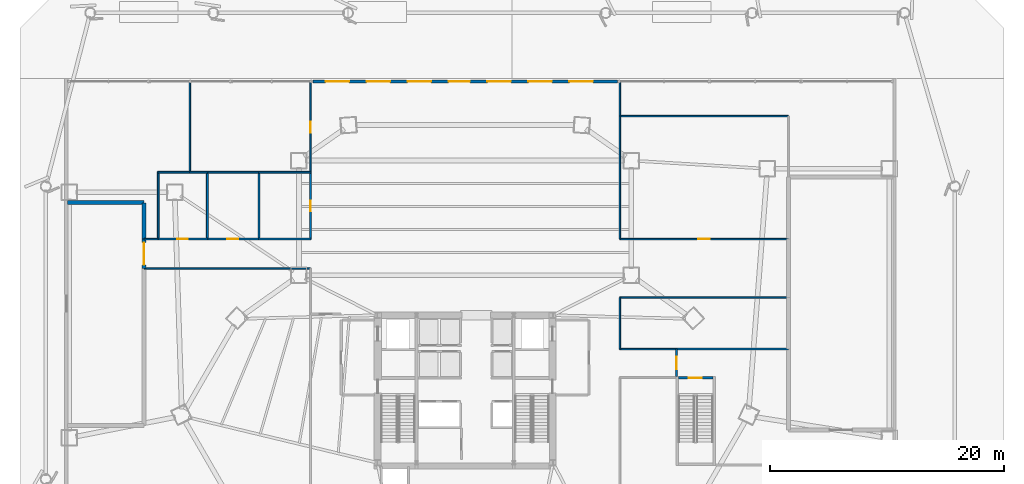
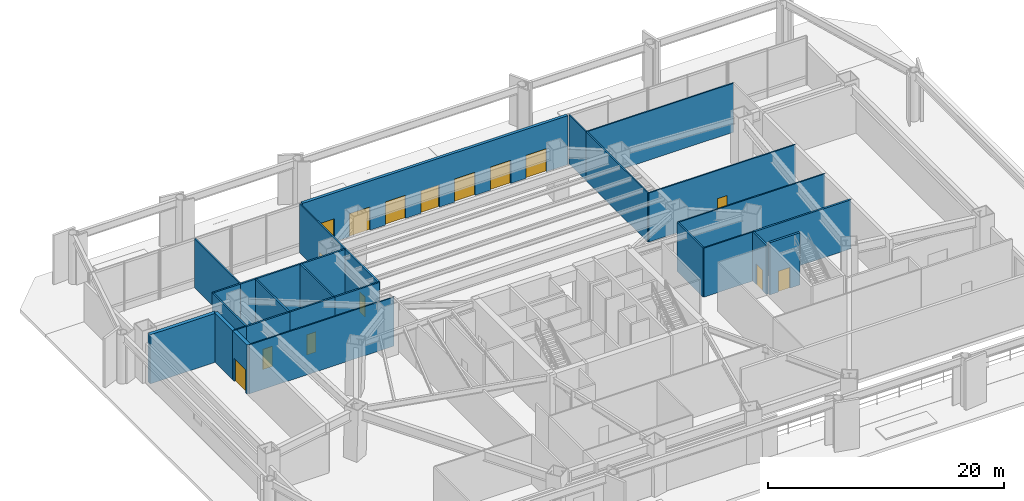
# One storey, part 13 of 19: 29 walls, 15 doors, 15 openings.
"""IFC4 building model written with IfcOpenShell, lengths in metres."""

from ifc_helpers import new_model, si_unit, direction, frame, frame_2d, origin, place, context, subcontext, project, spatial, rectangle, extrude, material, layer, layer_set, type_object, element, fill, save


model = new_model("IFC4")

# Units and contexts
model_context = context("Model", 3, precision=1e-05, world=origin(), true_north=direction((0.0, 1.0)))
body_context = subcontext(model_context, "Body", "Model", "MODEL_VIEW")
ifc_project = project(units=[si_unit("LENGTHUNIT", "METRE"), si_unit("AREAUNIT", "SQUARE_METRE"), si_unit("VOLUMEUNIT", "CUBIC_METRE"), si_unit("PLANEANGLEUNIT", "RADIAN"), si_unit("MASSUNIT", "GRAM", prefix="KILO")], contexts=[model_context])

# Site, building, storey
site_placement = place(None, origin())
site = spatial("IfcSite", under=ifc_project, at=site_placement, CompositionType="ELEMENT")
building_placement = place(site_placement, origin())
building = spatial("IfcBuilding", under=site, at=building_placement, Name="Caelisora Broadcast Tower", CompositionType="ELEMENT")
storey_placement = place(building_placement, origin())
storey = spatial("IfcBuildingStorey", under=building, at=storey_placement, Name="L00", CompositionType="ELEMENT", Elevation=0.0)

# Wall, opening, door
ifc_material_1 = material(Name="Concrete 50 MPa (AS 3600 S50)", Category="concrete")
ifc_layer_1 = layer(ifc_material_1, 0.219970703125, Name="Concrete 50 MPa (AS 3600 S50)")
ifc_layer_set_1 = layer_set([ifc_layer_1], Name="Concrete 50 MPa (AS 3600 S50)")
wall_type_1 = type_object("IfcWallType", Name="CW7", PredefinedType="SHEAR", material=ifc_layer_set_1)
wall_1_placement = place(storey_placement, frame((56.199951171875, 24.64990234375, 0.0), z_axis=(0.0, 0.0, 1.0), x_axis=(1.0, 0.0, 0.0)))
wall_1 = element("IfcWall", 1, at=wall_1_placement, inside=storey, type_object=wall_type_1, Name="L00 core shear wall CW7", PredefinedType="SHEAR", context=body_context, shape_type="SweptSolid", body=[
    extrude(rectangle(XDim=2.9599609375, YDim=0.219970703125, at=frame_2d((1.47998046875, 0.0))), origin(), (0.0, 0.0, 1.0), 5.39990234375),
])
opening_1_placement = place(wall_1_placement, frame((0.8701171875, 0.0, 0.0)))
opening_1 = element("IfcOpeningElement", 2, at=opening_1_placement, cuts=wall_1, Name="Opening FD04", PredefinedType="OPENING", context=body_context, shape_type="SweptSolid", body=[
    extrude(rectangle(XDim=1.1201171875, YDim=2.14990234375, at=frame_2d((0.56005859375, 1.074951171875))), frame((0.0, 0.1220703125, 0.0), z_axis=(0.0, -1.0, 0.0), x_axis=(1.0, 0.0, 0.0)), (0.0, 0.0, 1.0), 0.243896484375),
])
ifc_material_2 = material(Name="Pressurised Fire-Isolated Stair Door", Category="steel")
door_type_1 = type_object("IfcDoorType", Name="FD04", OperationType="NOTDEFINED", PredefinedType="DOOR", material=ifc_material_2)
door_1_placement = place(opening_1_placement, origin())
door_1 = element("IfcDoor", 3, at=door_1_placement, inside=storey, type_object=door_type_1, Name="L00 door FD04 (L00-DR-ST3)", OperationType="SINGLE_SWING_LEFT", OverallHeight=2.14990234375, OverallWidth=1.1201171875, PredefinedType="DOOR", context=body_context, shape_type="SweptSolid", body=[
    extrude(rectangle(XDim=1.1201171875, YDim=2.14990234375, at=frame_2d((0.56005859375, 1.074951171875))), frame((0.0, 0.02490234375, 0.0), z_axis=(0.0, -1.0, 0.0), x_axis=(1.0, 0.0, 0.0)), (0.0, 0.0, 1.0), 0.050048828125),
])
fill(opening_1, door_1)

# Wall, openings, doors
ifc_material_3 = material(Name="Insulated Terracotta Spandrel Wall System", Category="masonry")
ifc_layer_2 = layer(ifc_material_3, 0.280029296875, Name="Insulated Terracotta Spandrel Wall System")
ifc_layer_set_2 = layer_set([ifc_layer_2], Name="Insulated Terracotta Spandrel Wall System")
wall_type_2 = type_object("IfcWallType", Name="EW1", PredefinedType="STANDARD", material=ifc_layer_set_2)
wall_2_placement = place(storey_placement, frame((25.0, 49.949951171875, 0.0), z_axis=(0.0, 0.0, 1.0), x_axis=(1.0, 0.0, 0.0)))
wall_2 = element("IfcWall", 4, at=wall_2_placement, inside=storey, type_object=wall_type_2, Name="L00 exterior envelope wall EW1", PredefinedType="STANDARD", context=body_context, shape_type="SweptSolid", body=[
    extrude(rectangle(XDim=26.0, YDim=0.280029296875, at=frame_2d((13.0, 0.0))), origin(), (0.0, 0.0, 1.0), 5.080078125),
])
opening_2_placement = place(wall_2_placement, frame((14.89990234375, 0.0, 0.0)))
opening_2 = element("IfcOpeningElement", 5, at=opening_2_placement, cuts=wall_2, Name="Opening D05", PredefinedType="OPENING", context=body_context, shape_type="SweptSolid", body=[
    extrude(rectangle(XDim=2.0, YDim=2.39990234375, at=frame_2d((1.0, 1.199951171875))), frame((0.0, 0.152099609375, 0.0), z_axis=(0.0, -1.0, 0.0), x_axis=(1.0, 0.0, 0.0)), (0.0, 0.0, 1.0), 0.303955078125),
])
opening_3_placement = place(wall_2_placement, frame((11.60009765625, 0.0, 0.0)))
opening_3 = element("IfcOpeningElement", 6, at=opening_3_placement, cuts=wall_2, Name="Opening D06", PredefinedType="OPENING", context=body_context, shape_type="SweptSolid", body=[
    extrude(rectangle(XDim=1.800048828125, YDim=2.300048828125, at=frame_2d((0.89990234375, 1.14990234375))), frame((0.0, 0.152099609375, 0.0), z_axis=(0.0, -1.0, 0.0), x_axis=(1.0, 0.0, 0.0)), (0.0, 0.0, 1.0), 0.303955078125),
])
opening_4_placement = place(wall_2_placement, frame((1.10009765625, 0.0, 0.0)))
opening_4 = element("IfcOpeningElement", 7, at=opening_4_placement, cuts=wall_2, Name="Opening D05", PredefinedType="OPENING", context=body_context, shape_type="SweptSolid", body=[
    extrude(rectangle(XDim=2.0, YDim=2.39990234375, at=frame_2d((1.0, 1.199951171875))), frame((0.0, 0.152099609375, 0.0), z_axis=(0.0, -1.0, 0.0), x_axis=(1.0, 0.0, 0.0)), (0.0, 0.0, 1.0), 0.303955078125),
])
opening_5_placement = place(wall_2_placement, frame((4.60009765625, 0.0, 0.0)))
opening_5 = element("IfcOpeningElement", 8, at=opening_5_placement, cuts=wall_2, Name="Opening D05", PredefinedType="OPENING", context=body_context, shape_type="SweptSolid", body=[
    extrude(rectangle(XDim=2.0, YDim=2.39990234375, at=frame_2d((1.0, 1.199951171875))), frame((0.0, 0.152099609375, 0.0), z_axis=(0.0, -1.0, 0.0), x_axis=(1.0, 0.0, 0.0)), (0.0, 0.0, 1.0), 0.303955078125),
])
opening_6_placement = place(wall_2_placement, frame((8.10009765625, 0.0, 0.0)))
opening_6 = element("IfcOpeningElement", 9, at=opening_6_placement, cuts=wall_2, Name="Opening D05", PredefinedType="OPENING", context=body_context, shape_type="SweptSolid", body=[
    extrude(rectangle(XDim=2.0, YDim=2.39990234375, at=frame_2d((1.0, 1.199951171875))), frame((0.0, 0.152099609375, 0.0), z_axis=(0.0, -1.0, 0.0), x_axis=(1.0, 0.0, 0.0)), (0.0, 0.0, 1.0), 0.303955078125),
])
opening_7_placement = place(wall_2_placement, frame((18.39990234375, 0.0, 0.0)))
opening_7 = element("IfcOpeningElement", 10, at=opening_7_placement, cuts=wall_2, Name="Opening D05", PredefinedType="OPENING", context=body_context, shape_type="SweptSolid", body=[
    extrude(rectangle(XDim=2.0, YDim=2.39990234375, at=frame_2d((1.0, 1.199951171875))), frame((0.0, 0.152099609375, 0.0), z_axis=(0.0, -1.0, 0.0), x_axis=(1.0, 0.0, 0.0)), (0.0, 0.0, 1.0), 0.303955078125),
])
opening_8_placement = place(wall_2_placement, frame((21.89990234375, 0.0, 0.0)))
opening_8 = element("IfcOpeningElement", 11, at=opening_8_placement, cuts=wall_2, Name="Opening D05", PredefinedType="OPENING", context=body_context, shape_type="SweptSolid", body=[
    extrude(rectangle(XDim=2.0, YDim=2.39990234375, at=frame_2d((1.0, 1.199951171875))), frame((0.0, 0.152099609375, 0.0), z_axis=(0.0, -1.0, 0.0), x_axis=(1.0, 0.0, 0.0)), (0.0, 0.0, 1.0), 0.303955078125),
])
ifc_material_4 = material(Name="Anodised Aluminium Double Entrance Door", Category="aluminium")
door_type_2 = type_object("IfcDoorType", Name="D05", OperationType="NOTDEFINED", PredefinedType="DOOR", material=ifc_material_4)
door_2_placement = place(opening_2_placement, origin())
door_2 = element("IfcDoor", 12, at=door_2_placement, inside=storey, type_object=door_type_2, Name="L00 door D05 (L00-DR-ENT1)", OperationType="DOUBLE_DOOR_SINGLE_SWING", OverallHeight=2.39990234375, OverallWidth=2.0, PredefinedType="DOOR", context=body_context, shape_type="SweptSolid", body=[
    extrude(rectangle(XDim=2.0, YDim=2.39990234375, at=frame_2d((1.0, 1.199951171875))), frame((0.0, 0.02490234375, 0.0), z_axis=(0.0, -1.0, 0.0), x_axis=(1.0, 0.0, 0.0)), (0.0, 0.0, 1.0), 0.050048828125),
])
fill(opening_2, door_2)
door_3_placement = place(opening_4_placement, origin())
door_3 = element("IfcDoor", 13, at=door_3_placement, inside=storey, type_object=door_type_2, Name="L00 door D05 (L00-DR-ENT3)", OperationType="DOUBLE_DOOR_SINGLE_SWING", OverallHeight=2.39990234375, OverallWidth=2.0, PredefinedType="DOOR", context=body_context, shape_type="SweptSolid", body=[
    extrude(rectangle(XDim=2.0, YDim=2.39990234375, at=frame_2d((1.0, 1.199951171875))), frame((0.0, 0.02490234375, 0.0), z_axis=(0.0, -1.0, 0.0), x_axis=(1.0, 0.0, 0.0)), (0.0, 0.0, 1.0), 0.050048828125),
])
fill(opening_4, door_3)
door_4_placement = place(opening_5_placement, origin())
door_4 = element("IfcDoor", 14, at=door_4_placement, inside=storey, type_object=door_type_2, Name="L00 door D05 (L00-DR-ENT4)", OperationType="DOUBLE_DOOR_SINGLE_SWING", OverallHeight=2.39990234375, OverallWidth=2.0, PredefinedType="DOOR", context=body_context, shape_type="SweptSolid", body=[
    extrude(rectangle(XDim=2.0, YDim=2.39990234375, at=frame_2d((1.0, 1.199951171875))), frame((0.0, 0.02490234375, 0.0), z_axis=(0.0, -1.0, 0.0), x_axis=(1.0, 0.0, 0.0)), (0.0, 0.0, 1.0), 0.050048828125),
])
fill(opening_5, door_4)
door_5_placement = place(opening_6_placement, origin())
door_5 = element("IfcDoor", 15, at=door_5_placement, inside=storey, type_object=door_type_2, Name="L00 door D05 (L00-DR-ENT5)", OperationType="DOUBLE_DOOR_SINGLE_SWING", OverallHeight=2.39990234375, OverallWidth=2.0, PredefinedType="DOOR", context=body_context, shape_type="SweptSolid", body=[
    extrude(rectangle(XDim=2.0, YDim=2.39990234375, at=frame_2d((1.0, 1.199951171875))), frame((0.0, 0.02490234375, 0.0), z_axis=(0.0, -1.0, 0.0), x_axis=(1.0, 0.0, 0.0)), (0.0, 0.0, 1.0), 0.050048828125),
])
fill(opening_6, door_5)
door_6_placement = place(opening_7_placement, origin())
door_6 = element("IfcDoor", 16, at=door_6_placement, inside=storey, type_object=door_type_2, Name="L00 door D05 (L00-DR-ENT6)", OperationType="DOUBLE_DOOR_SINGLE_SWING", OverallHeight=2.39990234375, OverallWidth=2.0, PredefinedType="DOOR", context=body_context, shape_type="SweptSolid", body=[
    extrude(rectangle(XDim=2.0, YDim=2.39990234375, at=frame_2d((1.0, 1.199951171875))), frame((0.0, 0.02490234375, 0.0), z_axis=(0.0, -1.0, 0.0), x_axis=(1.0, 0.0, 0.0)), (0.0, 0.0, 1.0), 0.050048828125),
])
fill(opening_7, door_6)
door_7_placement = place(opening_8_placement, origin())
door_7 = element("IfcDoor", 17, at=door_7_placement, inside=storey, type_object=door_type_2, Name="L00 door D05 (L00-DR-ENT7)", OperationType="DOUBLE_DOOR_SINGLE_SWING", OverallHeight=2.39990234375, OverallWidth=2.0, PredefinedType="DOOR", context=body_context, shape_type="SweptSolid", body=[
    extrude(rectangle(XDim=2.0, YDim=2.39990234375, at=frame_2d((1.0, 1.199951171875))), frame((0.0, 0.02490234375, 0.0), z_axis=(0.0, -1.0, 0.0), x_axis=(1.0, 0.0, 0.0)), (0.0, 0.0, 1.0), 0.050048828125),
])
fill(opening_8, door_7)
ifc_material_5 = material(Name="Aluminium Glazed Concourse Double Door", Category="aluminium")
door_type_3 = type_object("IfcDoorType", Name="D06", OperationType="NOTDEFINED", PredefinedType="DOOR", material=ifc_material_5)
door_8_placement = place(opening_3_placement, origin())
door_8 = element("IfcDoor", 18, at=door_8_placement, inside=storey, type_object=door_type_3, Name="L00 door D06 (L00-DR-ENT2)", OperationType="DOUBLE_DOOR_SINGLE_SWING", OverallHeight=2.300048828125, OverallWidth=1.800048828125, PredefinedType="DOOR", context=body_context, shape_type="SweptSolid", body=[
    extrude(rectangle(XDim=1.800048828125, YDim=2.300048828125, at=frame_2d((0.89990234375, 1.14990234375))), frame((0.0, 0.02490234375, 0.0), z_axis=(0.0, -1.0, 0.0), x_axis=(1.0, 0.0, 0.0)), (0.0, 0.0, 1.0), 0.050048828125),
])
fill(opening_3, door_8)

# Walls
ifc_material_6 = material(Name="Double-Leaf Acoustic Studio Isolation Wall", Category="gypsum")
ifc_layer_3 = layer(ifc_material_6, 0.340087890625, Name="Double-Leaf Acoustic Studio Isolation Wall")
ifc_layer_set_3 = layer_set([ifc_layer_3], Name="Double-Leaf Acoustic Studio Isolation Wall")
wall_type_3 = type_object("IfcWallType", Name="PW1", PredefinedType="PARTITIONING", material=ifc_layer_set_3)
wall_3_placement = place(storey_placement, frame((4.06494140625, 39.60009765625, 0.0), z_axis=(0.0, 0.0, 1.0), x_axis=(1.0, 0.0, 0.0)))
element("IfcWall", 19, at=wall_3_placement, inside=storey, type_object=wall_type_3, Name="L00 acoustic studio wall PW1", PredefinedType="PARTITIONING", context=body_context, shape_type="SweptSolid", body=[
    extrude(rectangle(XDim=6.530029296875, YDim=0.340087890625, at=frame_2d((3.26513671875, 0.0))), origin(), (0.0, 0.0, 1.0), 5.080078125),
])
wall_4_placement = place(storey_placement, frame((10.60009765625, 39.594970703125, 0.0), z_axis=(0.0, 0.0, 1.0), x_axis=(0.0, -1.0, 0.0)))
element("IfcWall", 20, at=wall_4_placement, inside=storey, type_object=wall_type_3, Name="L00 acoustic studio wall PW1", PredefinedType="PARTITIONING", context=body_context, shape_type="SweptSolid", body=[
    extrude(rectangle(XDim=3.090087890625, YDim=0.340087890625, at=frame_2d((1.544921875, 0.0))), origin(), (0.0, 0.0, 1.0), 5.080078125),
])

# Wall, opening, door
wall_5_placement = place(storey_placement, frame((10.60009765625, 34.0048828125, 0.0), z_axis=(0.0, 0.0, 1.0), x_axis=(0.0, 1.0, 0.0)))
wall_5 = element("IfcWall", 21, at=wall_5_placement, inside=storey, type_object=wall_type_3, Name="L00 acoustic studio wall PW1", PredefinedType="PARTITIONING", context=body_context, shape_type="SweptSolid", body=[
    extrude(rectangle(XDim=2.490234375, YDim=0.340087890625, at=frame_2d((1.2451171875, 0.0))), origin(), (0.0, 0.0, 1.0), 5.080078125),
])
opening_9_placement = place(wall_5_placement, frame((0.294921875, 0.0, 0.0)))
opening_9 = element("IfcOpeningElement", 22, at=opening_9_placement, cuts=wall_5, Name="Opening SD01", PredefinedType="OPENING", context=body_context, shape_type="SweptSolid", body=[
    extrude(rectangle(XDim=1.89990234375, YDim=2.35009765625, at=frame_2d((0.949951171875, 1.175048828125))), frame((0.0, 0.18212890625, 0.0), z_axis=(0.0, -1.0, 0.0), x_axis=(1.0, 0.0, 0.0)), (0.0, 0.0, 1.0), 0.364013671875),
])
ifc_material_7 = material(Name="Double-Leaf Acoustic Studio Sound-Lock Door", Category="steel")
door_type_4 = type_object("IfcDoorType", Name="SD01", OperationType="NOTDEFINED", PredefinedType="DOOR", material=ifc_material_7)
door_9_placement = place(opening_9_placement, origin())
door_9 = element("IfcDoor", 23, at=door_9_placement, inside=storey, type_object=door_type_4, Name="L00 door SD01 (L00-DR-P33D1)", OperationType="DOUBLE_DOOR_SINGLE_SWING", OverallHeight=2.35009765625, OverallWidth=1.89990234375, PredefinedType="DOOR", context=body_context, shape_type="SweptSolid", body=[
    extrude(rectangle(XDim=1.89990234375, YDim=2.35009765625, at=frame_2d((0.949951171875, 1.175048828125))), frame((0.0, 0.02490234375, 0.0), z_axis=(0.0, -1.0, 0.0), x_axis=(1.0, 0.0, 0.0)), (0.0, 0.0, 1.0), 0.050048828125),
])
fill(opening_9, door_9)

# Wall
ifc_material_8 = material(Name="Fire-Rated Gypsum Shaft and Compartment Wall", Category="gypsum")
ifc_layer_4 = layer(ifc_material_8, 0.179931640625, Name="Fire-Rated Gypsum Shaft and Compartment Wall")
ifc_layer_set_4 = layer_set([ifc_layer_4], Name="Fire-Rated Gypsum Shaft and Compartment Wall")
wall_type_4 = type_object("IfcWallType", Name="PW2", PredefinedType="PARTITIONING", material=ifc_layer_set_4)
wall_6_placement = place(storey_placement, frame((56.054931640625, 27.10009765625, 0.0), z_axis=(0.0, 0.0, 1.0), x_axis=(1.0, 0.0, 0.0)))
element("IfcWall", 24, at=wall_6_placement, inside=storey, type_object=wall_type_4, Name="L00 fire compartment wall PW2", PredefinedType="PARTITIONING", context=body_context, shape_type="SweptSolid", body=[
    extrude(rectangle(XDim=9.5400390625, YDim=0.179931640625, at=frame_2d((4.77001953125, 0.0))), origin(), (0.0, 0.0, 1.0), 5.080078125),
])

# Wall, opening, door
wall_7_placement = place(storey_placement, frame((56.050048828125, 24.7548828125, 0.0), z_axis=(0.0, 0.0, 1.0), x_axis=(0.0, 1.0, 0.0)))
wall_7 = element("IfcWall", 25, at=wall_7_placement, inside=storey, type_object=wall_type_4, Name="L00 fire compartment wall PW2", PredefinedType="PARTITIONING", context=body_context, shape_type="SweptSolid", body=[
    extrude(rectangle(XDim=2.340087890625, YDim=0.179931640625, at=frame_2d((1.169921875, 0.0))), origin(), (0.0, 0.0, 1.0), 5.080078125),
])
opening_10_placement = place(wall_7_placement, frame((0.64501953125, 0.0, 0.0)))
opening_10 = element("IfcOpeningElement", 26, at=opening_10_placement, cuts=wall_7, Name="Opening FD02", PredefinedType="OPENING", context=body_context, shape_type="SweptSolid", body=[
    extrude(rectangle(XDim=1.050048828125, YDim=2.14990234375, at=frame_2d((0.52490234375, 1.074951171875))), frame((0.0, 0.10205078125, 0.0), z_axis=(0.0, -1.0, 0.0), x_axis=(1.0, 0.0, 0.0)), (0.0, 0.0, 1.0), 0.203857421875),
])
ifc_material_9 = material(Name="Single-Leaf Steel Fire Lobby Door", Category="steel")
door_type_5 = type_object("IfcDoorType", Name="FD02", OperationType="NOTDEFINED", PredefinedType="DOOR", material=ifc_material_9)
door_10_placement = place(opening_10_placement, origin())
door_10 = element("IfcDoor", 27, at=door_10_placement, inside=storey, type_object=door_type_5, Name="L00 door FD02 (L00-DR-P42D1)", OperationType="SINGLE_SWING_RIGHT", OverallHeight=2.14990234375, OverallWidth=1.050048828125, PredefinedType="DOOR", context=body_context, shape_type="SweptSolid", body=[
    extrude(rectangle(XDim=1.050048828125, YDim=2.14990234375, at=frame_2d((0.52490234375, 1.074951171875))), frame((0.0, 0.02490234375, 0.0), z_axis=(0.0, -1.0, 0.0), x_axis=(1.0, 0.0, 0.0)), (0.0, 0.0, 1.0), 0.050048828125),
])
fill(opening_10, door_10)

ifc_material_10 = material(Name="Acoustic Steel-Stud Plasterboard Partition", Category="gypsum")
ifc_layer_5 = layer(ifc_material_10, 0.1298828125, Name="Acoustic Steel-Stud Plasterboard Partition")
ifc_layer_set_5 = layer_set([ifc_layer_5], Name="Acoustic Steel-Stud Plasterboard Partition")
wall_type_5 = type_object("IfcWallType", Name="PW3", PredefinedType="PARTITIONING", material=ifc_layer_set_5)
wall_8_placement = place(storey_placement, frame((65.594970703125, 36.5, 0.0), z_axis=(0.0, 0.0, 1.0), x_axis=(-1.0, 0.0, 0.0)))
wall_8 = element("IfcWall", 28, at=wall_8_placement, inside=storey, type_object=wall_type_5, Name="L00 internal partition PW3", PredefinedType="PARTITIONING", context=body_context, shape_type="SweptSolid", body=[
    extrude(rectangle(XDim=14.389892578125, YDim=0.1298828125, at=frame_2d((7.19482421875, 0.0))), origin(), (0.0, 0.0, 1.0), 5.080078125),
])
opening_11_placement = place(wall_8_placement, frame((6.715087890625, 0.0, 0.0)))
opening_11 = element("IfcOpeningElement", 29, at=opening_11_placement, cuts=wall_8, Name="Opening D01", PredefinedType="OPENING", context=body_context, shape_type="SweptSolid", body=[
    extrude(rectangle(XDim=0.9599609375, YDim=2.14990234375, at=frame_2d((0.47998046875, 1.074951171875))), frame((0.0, 0.076904296875, 0.0), z_axis=(0.0, -1.0, 0.0), x_axis=(1.0, 0.0, 0.0)), (0.0, 0.0, 1.0), 0.15380859375),
])
ifc_material_11 = material(Name="Solid-Core Timber Acoustic Office Door", Category="wood")
door_type_6 = type_object("IfcDoorType", Name="D01", OperationType="NOTDEFINED", PredefinedType="DOOR", material=ifc_material_11)
door_11_placement = place(opening_11_placement, origin())
door_11 = element("IfcDoor", 30, at=door_11_placement, inside=storey, type_object=door_type_6, Name="L00 door D01 (L00-DR-P48D1)", OperationType="SINGLE_SWING_LEFT", OverallHeight=2.14990234375, OverallWidth=0.9599609375, PredefinedType="DOOR", context=body_context, shape_type="SweptSolid", body=[
    extrude(rectangle(XDim=0.9599609375, YDim=2.14990234375, at=frame_2d((0.47998046875, 1.074951171875))), frame((0.0, 0.02490234375, 0.0), z_axis=(0.0, -1.0, 0.0), x_axis=(1.0, 0.0, 0.0)), (0.0, 0.0, 1.0), 0.050048828125),
])
fill(opening_11, door_11)

# Walls
for number, where, z_axis, x_axis, name in (
    (31, (51.205078125, 31.5, 0.0), (0.0, 0.0, 1.0), (1.0, 0.0, 0.0), "L00 internal partition PW3"),
    (32, (51.205078125, 47.0, 0.0), (0.0, 0.0, 1.0), (1.0, 0.0, 0.0), "L00 internal partition PW3"),
):
    element("IfcWall", number, at=place(storey_placement, frame(where, z_axis=z_axis, x_axis=x_axis)), inside=storey, type_object=wall_type_5, Name=name, PredefinedType="PARTITIONING", context=body_context, shape_type="SweptSolid", body=[
        extrude(rectangle(XDim=14.389892578125, YDim=0.1298828125, at=frame_2d((7.19482421875, 0.0))), origin(), (0.0, 0.0, 1.0), 5.080078125),
    ])
wall_9_placement = place(storey_placement, frame((24.794921875, 34.0, 0.0), z_axis=(0.0, 0.0, 1.0), x_axis=(-1.0, 0.0, 0.0)))
element("IfcWall", 33, at=wall_9_placement, inside=storey, type_object=wall_type_5, Name="L00 internal partition PW3", PredefinedType="PARTITIONING", context=body_context, shape_type="SweptSolid", body=[
    extrude(rectangle(XDim=14.18994140625, YDim=0.1298828125, at=frame_2d((7.094970703125, 0.0))), origin(), (0.0, 0.0, 1.0), 5.080078125),
])
wall_10_placement = place(storey_placement, frame((51.199951171875, 36.5048828125, 0.0), z_axis=(0.0, 0.0, 1.0), x_axis=(0.0, 1.0, 0.0)))
element("IfcWall", 34, at=wall_10_placement, inside=storey, type_object=wall_type_5, Name="L00 internal partition PW3", PredefinedType="PARTITIONING", context=body_context, shape_type="SweptSolid", body=[
    extrude(rectangle(XDim=10.490234375, YDim=0.1298828125, at=frame_2d((5.2451171875, 0.0))), origin(), (0.0, 0.0, 1.0), 5.080078125),
])

# Wall, opening, door
wall_11_placement = place(storey_placement, frame((24.800048828125, 42.205078125, 0.0), z_axis=(0.0, 0.0, 1.0), x_axis=(0.0, 1.0, 0.0)))
wall_11 = element("IfcWall", 35, at=wall_11_placement, inside=storey, type_object=wall_type_5, Name="L00 internal partition PW3", PredefinedType="PARTITIONING", context=body_context, shape_type="SweptSolid", body=[
    extrude(rectangle(XDim=7.69482421875, YDim=0.1298828125, at=frame_2d((3.847412109375, 0.0))), origin(), (0.0, 0.0, 1.0), 5.080078125),
])
opening_12_placement = place(wall_11_placement, frame((3.367919921875, 0.0, 0.0)))
opening_12 = element("IfcOpeningElement", 36, at=opening_12_placement, cuts=wall_11, Name="Opening D01", PredefinedType="OPENING", context=body_context, shape_type="SweptSolid", body=[
    extrude(rectangle(XDim=0.9599609375, YDim=2.14990234375, at=frame_2d((0.47998046875, 1.074951171875))), frame((0.0, 0.076904296875, 0.0), z_axis=(0.0, -1.0, 0.0), x_axis=(1.0, 0.0, 0.0)), (0.0, 0.0, 1.0), 0.15380859375),
])
door_12_placement = place(opening_12_placement, origin())
door_12 = element("IfcDoor", 37, at=door_12_placement, inside=storey, type_object=door_type_6, Name="L00 door D01 (L00-DR-P61D1)", OperationType="SINGLE_SWING_LEFT", OverallHeight=2.14990234375, OverallWidth=0.9599609375, PredefinedType="DOOR", context=body_context, shape_type="SweptSolid", body=[
    extrude(rectangle(XDim=0.9599609375, YDim=2.14990234375, at=frame_2d((0.47998046875, 1.074951171875))), frame((0.0, 0.02490234375, 0.0), z_axis=(0.0, -1.0, 0.0), x_axis=(1.0, 0.0, 0.0)), (0.0, 0.0, 1.0), 0.050048828125),
])
fill(opening_12, door_12)

# Walls
wall_12_placement = place(storey_placement, frame((14.5, 42.205078125, 0.0), z_axis=(0.0, 0.0, 1.0), x_axis=(0.0, 1.0, 0.0)))
element("IfcWall", 38, at=wall_12_placement, inside=storey, type_object=wall_type_5, Name="L00 internal partition PW3", PredefinedType="PARTITIONING", context=body_context, shape_type="SweptSolid", body=[
    extrude(rectangle(XDim=7.69482421875, YDim=0.1298828125, at=frame_2d((3.847412109375, 0.0))), origin(), (0.0, 0.0, 1.0), 5.080078125),
])
wall_13_placement = place(storey_placement, frame((56.044921875, 27.10009765625, 0.0), z_axis=(0.0, 0.0, 1.0), x_axis=(-1.0, 0.0, 0.0)))
element("IfcWall", 39, at=wall_13_placement, inside=storey, type_object=wall_type_5, Name="L00 internal partition PW3", PredefinedType="PARTITIONING", context=body_context, shape_type="SweptSolid", body=[
    extrude(rectangle(XDim=4.83984375, YDim=0.1298828125, at=frame_2d((2.419921875, 0.0))), origin(), (0.0, 0.0, 1.0), 5.080078125),
])
wall_14_placement = place(storey_placement, frame((51.199951171875, 27.10498046875, 0.0), z_axis=(0.0, 0.0, 1.0), x_axis=(0.0, 1.0, 0.0)))
element("IfcWall", 40, at=wall_14_placement, inside=storey, type_object=wall_type_5, Name="L00 internal partition PW3", PredefinedType="PARTITIONING", context=body_context, shape_type="SweptSolid", body=[
    extrude(rectangle(XDim=4.39013671875, YDim=0.1298828125, at=frame_2d((2.195068359375, 0.0))), origin(), (0.0, 0.0, 1.0), 5.080078125),
])
wall_15_placement = place(storey_placement, frame((51.199951171875, 49.89990234375, 0.0), z_axis=(0.0, 0.0, 1.0), x_axis=(0.0, -1.0, 0.0)))
element("IfcWall", 41, at=wall_15_placement, inside=storey, type_object=wall_type_5, Name="L00 internal partition PW3", PredefinedType="PARTITIONING", context=body_context, shape_type="SweptSolid", body=[
    extrude(rectangle(XDim=2.89501953125, YDim=0.1298828125, at=frame_2d((1.447509765625, 0.0))), origin(), (0.0, 0.0, 1.0), 5.080078125),
])
wall_16_placement = place(storey_placement, frame((10.60498046875, 36.5, 0.0), z_axis=(0.0, 0.0, 1.0), x_axis=(1.0, 0.0, 0.0)))
element("IfcWall", 42, at=wall_16_placement, inside=storey, type_object=wall_type_5, Name="L00 internal partition PW3", PredefinedType="PARTITIONING", context=body_context, shape_type="SweptSolid", body=[
    extrude(rectangle(XDim=1.18994140625, YDim=0.1298828125, at=frame_2d((0.594970703125, 0.0))), origin(), (0.0, 0.0, 1.0), 5.080078125),
])

# Wall, opening, door
ifc_material_12 = material(Name="Moisture-Resistant Wet Plumbing Service Wall", Category="gypsum")
ifc_layer_6 = layer(ifc_material_12, 0.159912109375, Name="Moisture-Resistant Wet Plumbing Service Wall")
ifc_layer_set_6 = layer_set([ifc_layer_6], Name="Moisture-Resistant Wet Plumbing Service Wall")
wall_type_6 = type_object("IfcWallType", Name="PW4", PredefinedType="PLUMBINGWALL", material=ifc_layer_set_6)
wall_17_placement = place(storey_placement, frame((24.800048828125, 36.47509765625, 0.0), z_axis=(0.0, 0.0, 1.0), x_axis=(0.0, 1.0, 0.0)))
wall_17 = element("IfcWall", 43, at=wall_17_placement, inside=storey, type_object=wall_type_6, Name="L00 wet plumbing wall PW4", PredefinedType="PLUMBINGWALL", context=body_context, shape_type="SweptSolid", body=[
    extrude(rectangle(XDim=5.75, YDim=0.159912109375, at=frame_2d((2.875, 0.0))), origin(), (0.0, 0.0, 1.0), 5.080078125),
])
opening_13_placement = place(wall_17_placement, frame((2.385009765625, 0.0, 0.0)))
opening_13 = element("IfcOpeningElement", 44, at=opening_13_placement, cuts=wall_17, Name="Opening D03", PredefinedType="OPENING", context=body_context, shape_type="SweptSolid", body=[
    extrude(rectangle(XDim=0.919921875, YDim=2.10009765625, at=frame_2d((0.4599609375, 1.050048828125))), frame((0.0, 0.092041015625, 0.0), z_axis=(0.0, -1.0, 0.0), x_axis=(1.0, 0.0, 0.0)), (0.0, 0.0, 1.0), 0.183837890625),
])
ifc_material_13 = material(Name="Laminate Moisture-Resistant Amenity WC Door", Category="wood")
door_type_7 = type_object("IfcDoorType", Name="D03", OperationType="NOTDEFINED", PredefinedType="DOOR", material=ifc_material_13)
door_13_placement = place(opening_13_placement, origin())
door_13 = element("IfcDoor", 45, at=door_13_placement, inside=storey, type_object=door_type_7, Name="L00 door D03 (L00-DR-P12D1)", OperationType="SINGLE_SWING_RIGHT", OverallHeight=2.10009765625, OverallWidth=0.919921875, PredefinedType="DOOR", context=body_context, shape_type="SweptSolid", body=[
    extrude(rectangle(XDim=0.919921875, YDim=2.10009765625, at=frame_2d((0.4599609375, 1.050048828125))), frame((0.0, 0.02490234375, 0.0), z_axis=(0.0, -1.0, 0.0), x_axis=(1.0, 0.0, 0.0)), (0.0, 0.0, 1.0), 0.050048828125),
])
fill(opening_13, door_13)

# Walls
for number, where, z_axis, x_axis, name in (
    (46, (11.800048828125, 36.47509765625, 0.0), (0.0, 0.0, 1.0), (0.0, 1.0, 0.0), "L00 wet plumbing wall PW4"),
    (47, (16.0, 36.47509765625, 0.0), (0.0, 0.0, 1.0), (0.0, 1.0, 0.0), "L00 wet plumbing wall PW4"),
    (48, (20.39990234375, 36.47509765625, 0.0), (0.0, 0.0, 1.0), (0.0, 1.0, 0.0), "L00 wet plumbing wall PW4"),
):
    element("IfcWall", number, at=place(storey_placement, frame(where, z_axis=z_axis, x_axis=x_axis)), inside=storey, type_object=wall_type_6, Name=name, PredefinedType="PLUMBINGWALL", context=body_context, shape_type="SweptSolid", body=[
        extrude(rectangle(XDim=5.75, YDim=0.159912109375, at=frame_2d((2.875, 0.0))), origin(), (0.0, 0.0, 1.0), 5.080078125),
    ])
for number, where, z_axis, x_axis, name in (
    (49, (20.375, 36.5, 0.0), (0.0, 0.0, 1.0), (1.0, 0.0, 0.0), "L00 wet plumbing wall PW4"),
    (50, (20.375, 42.199951171875, 0.0), (0.0, 0.0, 1.0), (1.0, 0.0, 0.0), "L00 wet plumbing wall PW4"),
):
    element("IfcWall", number, at=place(storey_placement, frame(where, z_axis=z_axis, x_axis=x_axis)), inside=storey, type_object=wall_type_6, Name=name, PredefinedType="PLUMBINGWALL", context=body_context, shape_type="SweptSolid", body=[
        extrude(rectangle(XDim=4.449951171875, YDim=0.159912109375, at=frame_2d((2.22509765625, 0.0))), origin(), (0.0, 0.0, 1.0), 5.080078125),
    ])

# Wall, opening, door
wall_18_placement = place(storey_placement, frame((15.97509765625, 36.5, 0.0), z_axis=(0.0, 0.0, 1.0), x_axis=(1.0, 0.0, 0.0)))
wall_18 = element("IfcWall", 51, at=wall_18_placement, inside=storey, type_object=wall_type_6, Name="L00 wet plumbing wall PW4", PredefinedType="PLUMBINGWALL", context=body_context, shape_type="SweptSolid", body=[
    extrude(rectangle(XDim=4.449951171875, YDim=0.159912109375, at=frame_2d((2.22509765625, 0.0))), origin(), (0.0, 0.0, 1.0), 5.080078125),
])
opening_14_placement = place(wall_18_placement, frame((1.735107421875, 0.0, 0.0)))
opening_14 = element("IfcOpeningElement", 52, at=opening_14_placement, cuts=wall_18, Name="Opening D03", PredefinedType="OPENING", context=body_context, shape_type="SweptSolid", body=[
    extrude(rectangle(XDim=0.919921875, YDim=2.10009765625, at=frame_2d((0.4599609375, 1.050048828125))), frame((0.0, 0.092041015625, 0.0), z_axis=(0.0, -1.0, 0.0), x_axis=(1.0, 0.0, 0.0)), (0.0, 0.0, 1.0), 0.183837890625),
])
door_14_placement = place(opening_14_placement, origin())
door_14 = element("IfcDoor", 53, at=door_14_placement, inside=storey, type_object=door_type_7, Name="L00 door D03 (L00-DR-P18D1)", OperationType="SINGLE_SWING_LEFT", OverallHeight=2.10009765625, OverallWidth=0.919921875, PredefinedType="DOOR", context=body_context, shape_type="SweptSolid", body=[
    extrude(rectangle(XDim=0.919921875, YDim=2.10009765625, at=frame_2d((0.4599609375, 1.050048828125))), frame((0.0, 0.02490234375, 0.0), z_axis=(0.0, -1.0, 0.0), x_axis=(1.0, 0.0, 0.0)), (0.0, 0.0, 1.0), 0.050048828125),
])
fill(opening_14, door_14)

# Wall
wall_19_placement = place(storey_placement, frame((15.97509765625, 42.199951171875, 0.0), z_axis=(0.0, 0.0, 1.0), x_axis=(1.0, 0.0, 0.0)))
element("IfcWall", 54, at=wall_19_placement, inside=storey, type_object=wall_type_6, Name="L00 wet plumbing wall PW4", PredefinedType="PLUMBINGWALL", context=body_context, shape_type="SweptSolid", body=[
    extrude(rectangle(XDim=4.449951171875, YDim=0.159912109375, at=frame_2d((2.22509765625, 0.0))), origin(), (0.0, 0.0, 1.0), 5.080078125),
])

# Wall, opening, door
wall_20_placement = place(storey_placement, frame((11.77490234375, 36.5, 0.0), z_axis=(0.0, 0.0, 1.0), x_axis=(1.0, 0.0, 0.0)))
wall_20 = element("IfcWall", 55, at=wall_20_placement, inside=storey, type_object=wall_type_6, Name="L00 wet plumbing wall PW4", PredefinedType="PLUMBINGWALL", context=body_context, shape_type="SweptSolid", body=[
    extrude(rectangle(XDim=4.25, YDim=0.159912109375, at=frame_2d((2.125, 0.0))), origin(), (0.0, 0.0, 1.0), 5.080078125),
])
opening_15_placement = place(wall_20_placement, frame((1.635009765625, 0.0, 0.0)))
opening_15 = element("IfcOpeningElement", 56, at=opening_15_placement, cuts=wall_20, Name="Opening D03", PredefinedType="OPENING", context=body_context, shape_type="SweptSolid", body=[
    extrude(rectangle(XDim=0.919921875, YDim=2.10009765625, at=frame_2d((0.4599609375, 1.050048828125))), frame((0.0, 0.092041015625, 0.0), z_axis=(0.0, -1.0, 0.0), x_axis=(1.0, 0.0, 0.0)), (0.0, 0.0, 1.0), 0.183837890625),
])
door_15_placement = place(opening_15_placement, origin())
door_15 = element("IfcDoor", 57, at=door_15_placement, inside=storey, type_object=door_type_7, Name="L00 door D03 (L00-DR-P20D1)", OperationType="SINGLE_SWING_RIGHT", OverallHeight=2.10009765625, OverallWidth=0.919921875, PredefinedType="DOOR", context=body_context, shape_type="SweptSolid", body=[
    extrude(rectangle(XDim=0.919921875, YDim=2.10009765625, at=frame_2d((0.4599609375, 1.050048828125))), frame((0.0, 0.02490234375, 0.0), z_axis=(0.0, -1.0, 0.0), x_axis=(1.0, 0.0, 0.0)), (0.0, 0.0, 1.0), 0.050048828125),
])
fill(opening_15, door_15)

# Walls
wall_21_placement = place(storey_placement, frame((11.77490234375, 42.199951171875, 0.0), z_axis=(0.0, 0.0, 1.0), x_axis=(1.0, 0.0, 0.0)))
element("IfcWall", 58, at=wall_21_placement, inside=storey, type_object=wall_type_6, Name="L00 wet plumbing wall PW4", PredefinedType="PLUMBINGWALL", context=body_context, shape_type="SweptSolid", body=[
    extrude(rectangle(XDim=2.75, YDim=0.159912109375, at=frame_2d((1.375, 0.0))), origin(), (0.0, 0.0, 1.0), 5.080078125),
])
wall_22_placement = place(storey_placement, frame((14.47509765625, 42.199951171875, 0.0), z_axis=(0.0, 0.0, 1.0), x_axis=(1.0, 0.0, 0.0)))
element("IfcWall", 59, at=wall_22_placement, inside=storey, type_object=wall_type_6, Name="L00 wet plumbing wall PW4", PredefinedType="PLUMBINGWALL", context=body_context, shape_type="SweptSolid", body=[
    extrude(rectangle(XDim=1.5498046875, YDim=0.159912109375, at=frame_2d((0.77490234375, 0.0))), origin(), (0.0, 0.0, 1.0), 5.080078125),
])

save(model, "model.ifc")
